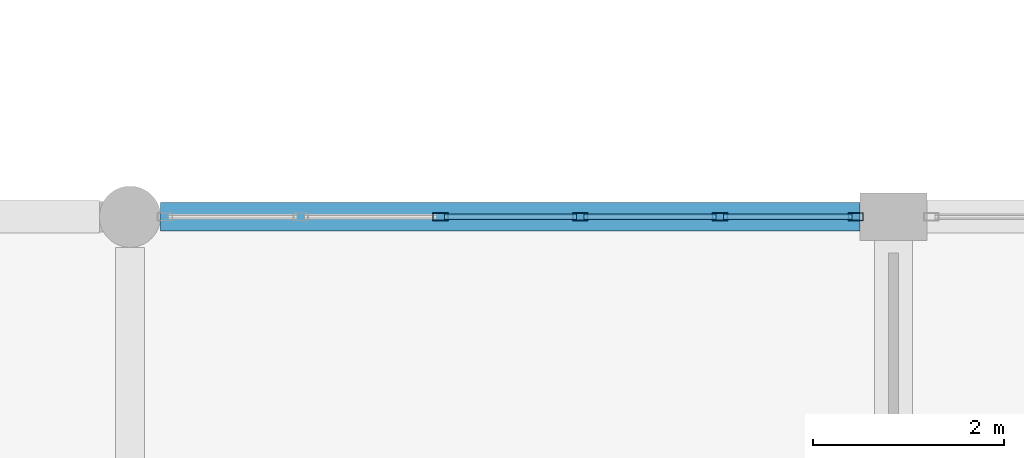
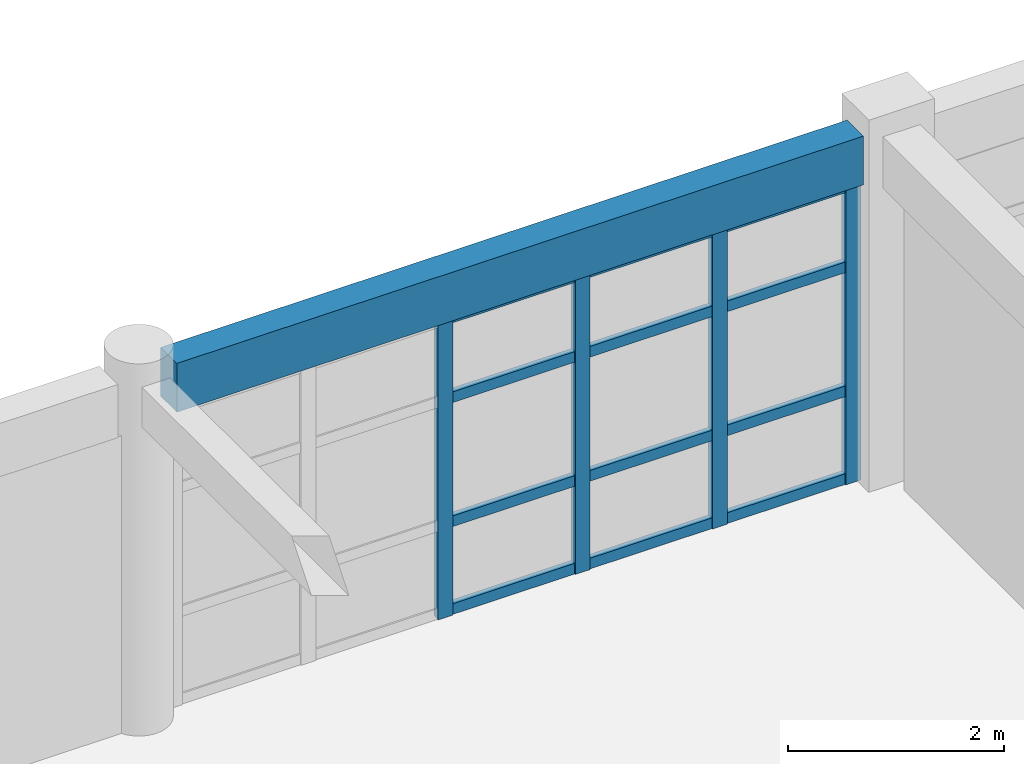
# One storey, part 37 of 121: 16 members, 1 beam, 1 element without a shape of its own.
"""IFC4 building model written with IfcOpenShell, lengths in metres."""

from ifc_helpers import new_model, si_unit, direction, frame, origin, origin_2d, place, context, subcontext, project, spatial, rectangle, hollow_rectangle, extrude, material, material_profile, profile_set, type_object, element, aggregate, save


model = new_model("IFC4")

# Units and contexts
model_context = context("Model", 3, precision=1e-05, world=origin(), true_north=direction((0.0, 1.0)))
body_context = subcontext(model_context, "Body", "Model", "MODEL_VIEW")
ifc_project = project(units=[si_unit("LENGTHUNIT", "METRE"), si_unit("AREAUNIT", "SQUARE_METRE"), si_unit("VOLUMEUNIT", "CUBIC_METRE"), si_unit("PLANEANGLEUNIT", "RADIAN"), si_unit("MASSUNIT", "GRAM", prefix="KILO")], contexts=[model_context])

# Site, building, storey
site_placement = place(None, origin())
site = spatial("IfcSite", under=ifc_project, at=site_placement, CompositionType="ELEMENT")
building_placement = place(site_placement, origin())
building = spatial("IfcBuilding", under=site, at=building_placement, Name="Kharva Crest Polytechnic", CompositionType="ELEMENT")
storey_placement = place(building_placement, frame((0.0, 0.0, 13.199951171875)))
storey = spatial("IfcBuildingStorey", under=building, at=storey_placement, Name="L03", CompositionType="ELEMENT", Elevation=13.199951171875)

# Curtain wall, members
ifc_material_1 = material(Name="Tempered insulated glass", Category="glass")
curtain_wall_type = type_object("IfcCurtainWallType", Name="CW-SYS-COURT", PredefinedType="USERDEFINED", material=ifc_material_1)
curtain_wall_placement = place(storey_placement, origin())
curtain_wall = element("IfcCurtainWall", 1, at=curtain_wall_placement, inside=storey, type_object=curtain_wall_type, Name="L03 Glazed Curtain Wall CW-137", ObjectType="CURTAIN WALL", PredefinedType="USERDEFINED")
ifc_material_2 = material(Name="Steel S355", Category="steel")
ifc_material_profile_1 = material_profile(ifc_material_2, hollow_rectangle(XDim=0.080078125, YDim=0.159912109375, WallThickness=0.0048828125, at=origin_2d()), Name="RHS 160X80X5.0")
ifc_profile_set_1 = profile_set([ifc_material_profile_1], Name="Steel S355")
member_type_1 = type_object("IfcMemberType", Name="CWM-RHS160X80", PredefinedType="MULLION", material=ifc_profile_set_1)
member_1_placement = place(storey_placement, frame((95.60498046875, 22.800048828125, 0.0), z_axis=(0.0, 0.0, 1.0), x_axis=(0.0, -1.0, 0.0)))
member_1 = element("IfcMember", 2, at=member_1_placement, type_object=member_type_1, Name="CW-137 mullion 1", PredefinedType="MULLION", context=body_context, shape_type="SweptSolid", body=[
    extrude(hollow_rectangle(XDim=0.080078125, YDim=0.159912109375, WallThickness=0.0048828125, at=origin_2d()), origin(), (0.0, 0.0, 1.0), 3.41015625),
])
member_2_placement = place(storey_placement, frame((94.180908203125, 22.800048828125, 0.0), z_axis=(0.0, 0.0, 1.0), x_axis=(0.0, -1.0, 0.0)))
member_2 = element("IfcMember", 3, at=member_2_placement, type_object=member_type_1, Name="CW-137 mullion 2", PredefinedType="MULLION", context=body_context, shape_type="SweptSolid", body=[
    extrude(hollow_rectangle(XDim=0.080078125, YDim=0.159912109375, WallThickness=0.0048828125, at=origin_2d()), origin(), (0.0, 0.0, 1.0), 3.41015625),
])
member_3_placement = place(storey_placement, frame((92.717041015625, 22.800048828125, 0.0), z_axis=(0.0, 0.0, 1.0), x_axis=(0.0, -1.0, 0.0)))
member_3 = element("IfcMember", 4, at=member_3_placement, type_object=member_type_1, Name="CW-137 mullion 3", PredefinedType="MULLION", context=body_context, shape_type="SweptSolid", body=[
    extrude(hollow_rectangle(XDim=0.080078125, YDim=0.159912109375, WallThickness=0.0048828125, at=origin_2d()), origin(), (0.0, 0.0, 1.0), 3.41015625),
])
member_4_placement = place(storey_placement, frame((91.2529296875, 22.800048828125, 0.0), z_axis=(0.0, 0.0, 1.0), x_axis=(0.0, -1.0, 0.0)))
member_4 = element("IfcMember", 5, at=member_4_placement, type_object=member_type_1, Name="CW-137 mullion 4", PredefinedType="MULLION", context=body_context, shape_type="SweptSolid", body=[
    extrude(hollow_rectangle(XDim=0.080078125, YDim=0.159912109375, WallThickness=0.0048828125, at=origin_2d()), origin(), (0.0, 0.0, 1.0), 3.41015625),
])
ifc_material_profile_2 = material_profile(ifc_material_2, hollow_rectangle(XDim=0.06005859375, YDim=0.1201171875, WallThickness=0.00390625, at=origin_2d()), Name="RHS 120X60X4.0")
ifc_profile_set_2 = profile_set([ifc_material_profile_2], Name="Steel S355")
member_type_2 = type_object("IfcMemberType", Name="CWT-RHS120X60", PredefinedType="USERDEFINED", material=ifc_profile_set_2)
member_5_placement = place(storey_placement, frame((95.56494140625, 22.800048828125, 0.06005859375), z_axis=(-1.0, 0.0, 0.0), x_axis=(0.0, -1.0, 0.0)))
member_5 = element("IfcMember", 6, at=member_5_placement, type_object=member_type_2, Name="CW-137 transom 1.1", ObjectType="TRANSOM", PredefinedType="USERDEFINED", context=body_context, shape_type="SweptSolid", body=[
    extrude(hollow_rectangle(XDim=0.06005859375, YDim=0.1201171875, WallThickness=0.00390625, at=origin_2d()), origin(), (0.0, 0.0, 1.0), 1.343994140625),
])
member_6_placement = place(storey_placement, frame((95.56494140625, 22.800048828125, 1.050048828125), z_axis=(-1.0, 0.0, 0.0), x_axis=(0.0, -1.0, 0.0)))
member_6 = element("IfcMember", 7, at=member_6_placement, type_object=member_type_2, Name="CW-137 transom 1.2", ObjectType="TRANSOM", PredefinedType="USERDEFINED", context=body_context, shape_type="SweptSolid", body=[
    extrude(hollow_rectangle(XDim=0.06005859375, YDim=0.1201171875, WallThickness=0.00390625, at=origin_2d()), origin(), (0.0, 0.0, 1.0), 1.343994140625),
])
member_7_placement = place(storey_placement, frame((95.56494140625, 22.800048828125, 2.449951171875), z_axis=(-1.0, 0.0, 0.0), x_axis=(0.0, -1.0, 0.0)))
member_7 = element("IfcMember", 8, at=member_7_placement, type_object=member_type_2, Name="CW-137 transom 1.3", ObjectType="TRANSOM", PredefinedType="USERDEFINED", context=body_context, shape_type="SweptSolid", body=[
    extrude(hollow_rectangle(XDim=0.06005859375, YDim=0.1201171875, WallThickness=0.00390625, at=origin_2d()), origin(), (0.0, 0.0, 1.0), 1.343994140625),
])
member_8_placement = place(storey_placement, frame((95.56494140625, 22.800048828125, 3.35009765625), z_axis=(-1.0, 0.0, 0.0), x_axis=(0.0, -1.0, 0.0)))
member_8 = element("IfcMember", 9, at=member_8_placement, type_object=member_type_2, Name="CW-137 transom 1.4", ObjectType="TRANSOM", PredefinedType="USERDEFINED", context=body_context, shape_type="SweptSolid", body=[
    extrude(hollow_rectangle(XDim=0.06005859375, YDim=0.1201171875, WallThickness=0.00390625, at=origin_2d()), origin(), (0.0, 0.0, 1.0), 1.343994140625),
])
member_9_placement = place(storey_placement, frame((94.14111328125, 22.800048828125, 0.06005859375), z_axis=(-1.0, 0.0, 0.0), x_axis=(0.0, -1.0, 0.0)))
member_9 = element("IfcMember", 10, at=member_9_placement, type_object=member_type_2, Name="CW-137 transom 2.1", ObjectType="TRANSOM", PredefinedType="USERDEFINED", context=body_context, shape_type="SweptSolid", body=[
    extrude(hollow_rectangle(XDim=0.06005859375, YDim=0.1201171875, WallThickness=0.00390625, at=origin_2d()), origin(), (0.0, 0.0, 1.0), 1.384033203125),
])
member_10_placement = place(storey_placement, frame((94.14111328125, 22.800048828125, 1.050048828125), z_axis=(-1.0, 0.0, 0.0), x_axis=(0.0, -1.0, 0.0)))
member_10 = element("IfcMember", 11, at=member_10_placement, type_object=member_type_2, Name="CW-137 transom 2.2", ObjectType="TRANSOM", PredefinedType="USERDEFINED", context=body_context, shape_type="SweptSolid", body=[
    extrude(hollow_rectangle(XDim=0.06005859375, YDim=0.1201171875, WallThickness=0.00390625, at=origin_2d()), origin(), (0.0, 0.0, 1.0), 1.384033203125),
])
member_11_placement = place(storey_placement, frame((94.14111328125, 22.800048828125, 2.449951171875), z_axis=(-1.0, 0.0, 0.0), x_axis=(0.0, -1.0, 0.0)))
member_11 = element("IfcMember", 12, at=member_11_placement, type_object=member_type_2, Name="CW-137 transom 2.3", ObjectType="TRANSOM", PredefinedType="USERDEFINED", context=body_context, shape_type="SweptSolid", body=[
    extrude(hollow_rectangle(XDim=0.06005859375, YDim=0.1201171875, WallThickness=0.00390625, at=origin_2d()), origin(), (0.0, 0.0, 1.0), 1.384033203125),
])
member_12_placement = place(storey_placement, frame((94.14111328125, 22.800048828125, 3.35009765625), z_axis=(-1.0, 0.0, 0.0), x_axis=(0.0, -1.0, 0.0)))
member_12 = element("IfcMember", 13, at=member_12_placement, type_object=member_type_2, Name="CW-137 transom 2.4", ObjectType="TRANSOM", PredefinedType="USERDEFINED", context=body_context, shape_type="SweptSolid", body=[
    extrude(hollow_rectangle(XDim=0.06005859375, YDim=0.1201171875, WallThickness=0.00390625, at=origin_2d()), origin(), (0.0, 0.0, 1.0), 1.384033203125),
])
member_13_placement = place(storey_placement, frame((92.677001953125, 22.800048828125, 0.06005859375), z_axis=(-1.0, 0.0, 0.0), x_axis=(0.0, -1.0, 0.0)))
member_13 = element("IfcMember", 14, at=member_13_placement, type_object=member_type_2, Name="CW-137 transom 3.1", ObjectType="TRANSOM", PredefinedType="USERDEFINED", context=body_context, shape_type="SweptSolid", body=[
    extrude(hollow_rectangle(XDim=0.06005859375, YDim=0.1201171875, WallThickness=0.00390625, at=origin_2d()), origin(), (0.0, 0.0, 1.0), 1.384033203125),
])
member_14_placement = place(storey_placement, frame((92.677001953125, 22.800048828125, 1.050048828125), z_axis=(-1.0, 0.0, 0.0), x_axis=(0.0, -1.0, 0.0)))
member_14 = element("IfcMember", 15, at=member_14_placement, type_object=member_type_2, Name="CW-137 transom 3.2", ObjectType="TRANSOM", PredefinedType="USERDEFINED", context=body_context, shape_type="SweptSolid", body=[
    extrude(hollow_rectangle(XDim=0.06005859375, YDim=0.1201171875, WallThickness=0.00390625, at=origin_2d()), origin(), (0.0, 0.0, 1.0), 1.384033203125),
])
member_15_placement = place(storey_placement, frame((92.677001953125, 22.800048828125, 2.449951171875), z_axis=(-1.0, 0.0, 0.0), x_axis=(0.0, -1.0, 0.0)))
member_15 = element("IfcMember", 16, at=member_15_placement, type_object=member_type_2, Name="CW-137 transom 3.3", ObjectType="TRANSOM", PredefinedType="USERDEFINED", context=body_context, shape_type="SweptSolid", body=[
    extrude(hollow_rectangle(XDim=0.06005859375, YDim=0.1201171875, WallThickness=0.00390625, at=origin_2d()), origin(), (0.0, 0.0, 1.0), 1.384033203125),
])
member_16_placement = place(storey_placement, frame((92.677001953125, 22.800048828125, 3.35009765625), z_axis=(-1.0, 0.0, 0.0), x_axis=(0.0, -1.0, 0.0)))
member_16 = element("IfcMember", 17, at=member_16_placement, type_object=member_type_2, Name="CW-137 transom 3.4", ObjectType="TRANSOM", PredefinedType="USERDEFINED", context=body_context, shape_type="SweptSolid", body=[
    extrude(hollow_rectangle(XDim=0.06005859375, YDim=0.1201171875, WallThickness=0.00390625, at=origin_2d()), origin(), (0.0, 0.0, 1.0), 1.384033203125),
])
aggregate(curtain_wall, [member_1, member_2, member_3, member_4, member_5, member_6, member_7, member_8, member_9, member_10, member_11, member_12, member_13, member_14, member_15, member_16])

# Beam
ifc_material_3 = material(Name="Concrete C35/45", Category="concrete")
ifc_material_profile_3 = material_profile(ifc_material_3, rectangle(XDim=0.300048828125, YDim=0.550048828125, at=origin_2d()), Name="RECT 300 X 550")
ifc_profile_set_3 = profile_set([ifc_material_profile_3], Name="Concrete C35/45")
beam_type = type_object("IfcBeamType", Name="SP-RC-300X550", PredefinedType="SPANDREL", material=ifc_profile_set_3)
beam_placement = place(storey_placement, frame((88.320068359375, 22.800048828125, 3.68505859375), z_axis=(1.0, 0.0, 0.0), x_axis=(0.0, 1.0, 0.0)))
element("IfcBeam", 18, at=beam_placement, inside=storey, type_object=beam_type, Name="L03 Beam D/12-13", PredefinedType="SPANDREL", context=body_context, shape_type="SweptSolid", body=[
    extrude(rectangle(XDim=0.300048828125, YDim=0.550048828125, at=origin_2d()), origin(), (0.0, 0.0, 1.0), 7.329833984375),
])

save(model, "model.ifc")
